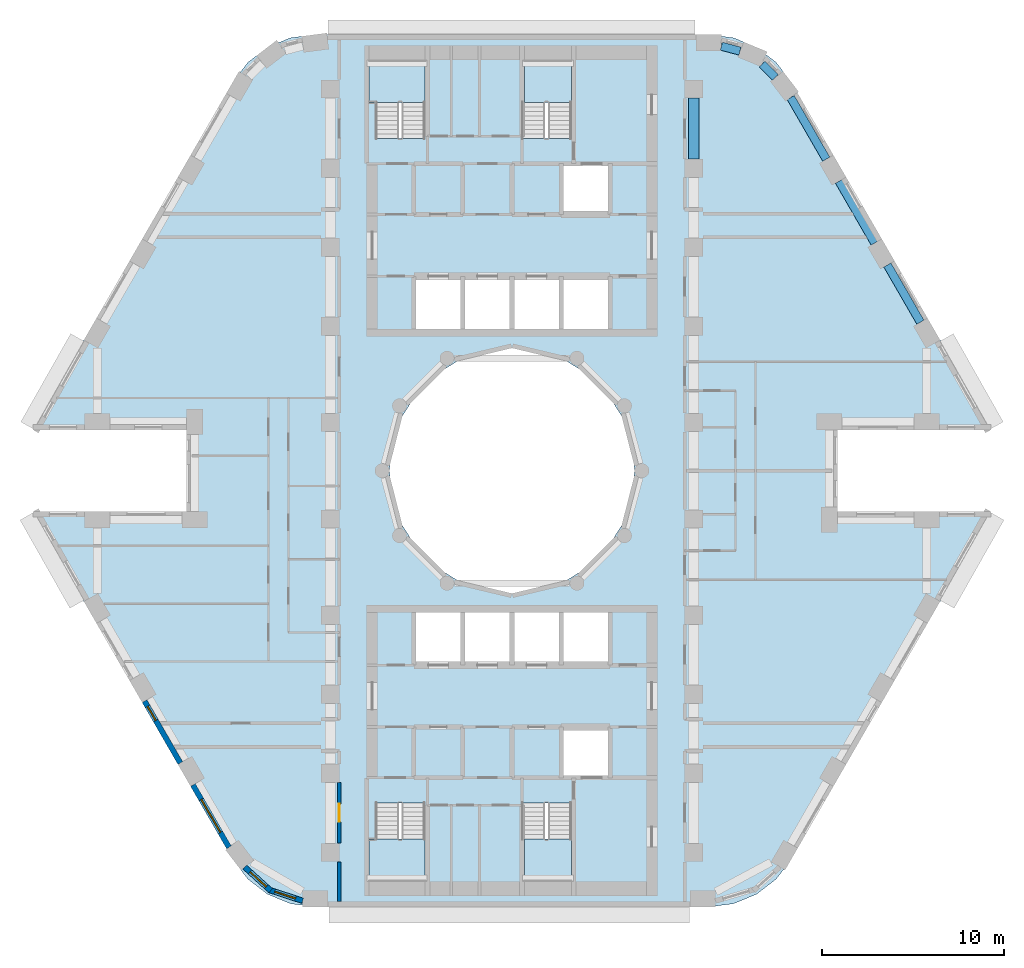
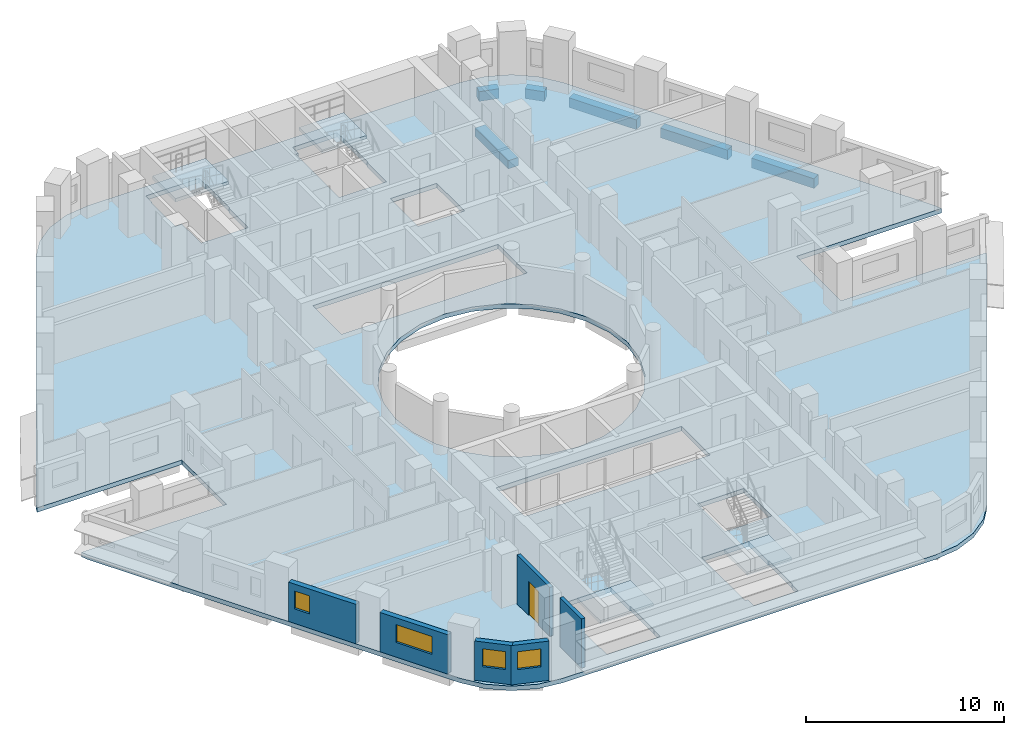
# One storey, part 2 of 12: 6 beams, 6 walls, 5 slabs, 4 windows, 1 door, 5 openings, 4 elements without a shape of their own.
"""IFC4 building model written with IfcOpenShell, lengths in metres."""

from ifc_helpers import new_model, si_unit, direction, frame, frame_2d, origin, origin_2d, place, context, subcontext, project, spatial, polyline, rectangle, outline, extrude, material, layer, layer_set, material_profile, profile_set, type_object, element, fill, aggregate, save


model = new_model("IFC4")

# Units and contexts
model_context = context("Model", 3, precision=1e-05, world=origin(), true_north=direction((0.0, 1.0)))
body_context = subcontext(model_context, "Body", "Model", "MODEL_VIEW")
ifc_project = project(units=[si_unit("LENGTHUNIT", "METRE"), si_unit("AREAUNIT", "SQUARE_METRE"), si_unit("VOLUMEUNIT", "CUBIC_METRE"), si_unit("PLANEANGLEUNIT", "RADIAN"), si_unit("MASSUNIT", "GRAM", prefix="KILO")], contexts=[model_context])

# Site, building, storey
site_placement = place(None, origin())
site = spatial("IfcSite", under=ifc_project, at=site_placement, CompositionType="ELEMENT")
building_placement = place(site_placement, origin())
building = spatial("IfcBuilding", under=site, at=building_placement, Name="Nakaniwa Court", CompositionType="ELEMENT")
storey_placement = place(building_placement, frame((0.0, 0.0, 94.199951171875)))
storey = spatial("IfcBuildingStorey", under=building, at=storey_placement, Name="L24", CompositionType="ELEMENT", Elevation=94.199951171875)

# Beams
ifc_material_1 = material(Name="Concrete C80/100", Category="concrete")
ifc_material_profile_1 = material_profile(ifc_material_1, rectangle(XDim=0.449951171875, YDim=0.60009765625, at=origin_2d()), Name="Concrete C80/100 RC 450x600 spandrel beam")
ifc_profile_set_1 = profile_set([ifc_material_profile_1], Name="Concrete C80/100")
beam_type_1 = type_object("IfcBeamType", Name="Concrete C80/100 RC 450x600 spandrel beam", PredefinedType="BEAM", material=ifc_profile_set_1)
beam_1_placement = place(storey_placement, frame((102.472900390625, 88.17578125, -0.574951171875), z_axis=(-0.499988394233, 0.866032104273, 0.0), x_axis=(-0.866032104273, -0.499988394233, 0.0)))
element("IfcBeam", 1, at=beam_1_placement, inside=storey, type_object=beam_type_1, Name="SPANDREL BEAM", PredefinedType="BEAM", context=body_context, shape_type="SweptSolid", body=[
    extrude(rectangle(XDim=0.449951171875, YDim=0.60009765625, at=origin_2d()), origin(), (0.0, 0.0, 1.0), 3.62890625),
])
beam_2_placement = place(storey_placement, frame((99.95849609375, 92.531005859375, -0.574951171875), z_axis=(-0.49999161165, 0.866030246746, 0.0), x_axis=(-0.866030246746, -0.49999161165, 0.0)))
element("IfcBeam", 2, at=beam_2_placement, inside=storey, type_object=beam_type_1, Name="SPANDREL BEAM", PredefinedType="BEAM", context=body_context, shape_type="SweptSolid", body=[
    extrude(rectangle(XDim=0.449951171875, YDim=0.60009765625, at=origin_2d()), origin(), (0.0, 0.0, 1.0), 3.92578125),
])
beam_3_placement = place(storey_placement, frame((97.29541015625, 97.143310546875, -0.574951171875), z_axis=(-0.499997407846, 0.86602690036, 0.0), x_axis=(-0.86602690036, -0.499997407846, 0.0)))
element("IfcBeam", 3, at=beam_3_placement, inside=storey, type_object=beam_type_1, Name="SPANDREL BEAM", PredefinedType="BEAM", context=body_context, shape_type="SweptSolid", body=[
    extrude(rectangle(XDim=0.449951171875, YDim=0.60009765625, at=origin_2d()), origin(), (0.0, 0.0, 1.0), 3.919921875),
])
beam_4_placement = place(storey_placement, frame((94.484130859375, 101.6494140625, -0.574951171875), z_axis=(-0.705911336947, 0.7083002078, 0.0), x_axis=(-0.7083002078, -0.705911336947, 0.0)))
element("IfcBeam", 4, at=beam_4_placement, inside=storey, type_object=beam_type_1, Name="SPANDREL BEAM", PredefinedType="BEAM", context=body_context, shape_type="SweptSolid", body=[
    extrude(rectangle(XDim=0.449951171875, YDim=0.60009765625, at=origin_2d()), origin(), (0.0, 0.0, 1.0), 1.02197265625),
])
beam_5_placement = place(storey_placement, frame((92.544921875, 103.091796875, -0.574951171875), z_axis=(-0.966315487466, 0.257360406209, 0.0), x_axis=(-0.257360406209, -0.966315487466, 0.0)))
element("IfcBeam", 5, at=beam_5_placement, inside=storey, type_object=beam_type_1, Name="SPANDREL BEAM", PredefinedType="BEAM", context=body_context, shape_type="SweptSolid", body=[
    extrude(rectangle(XDim=0.449951171875, YDim=0.60009765625, at=origin_2d()), origin(), (0.0, 0.0, 1.0), 1.055908203125),
])
ifc_material_profile_2 = material_profile(ifc_material_1, rectangle(XDim=0.60009765625, YDim=0.5, at=origin_2d()), Name="Concrete C80/100 RC 600x500 ring beam")
ifc_profile_set_2 = profile_set([ifc_material_profile_2], Name="Concrete C80/100")
beam_type_2 = type_object("IfcBeamType", Name="Concrete C80/100 RC 600x500 ring beam", PredefinedType="BEAM", material=ifc_profile_set_2)
beam_6_placement = place(storey_placement, frame((90.0, 97.14990234375, -0.52490234375), z_axis=(0.0, 1.0, 0.0), x_axis=(-1.0, 0.0, 0.0)))
element("IfcBeam", 6, at=beam_6_placement, inside=storey, type_object=beam_type_2, Name="RING BEAM", PredefinedType="BEAM", context=body_context, shape_type="SweptSolid", body=[
    extrude(rectangle(XDim=0.60009765625, YDim=0.5, at=origin_2d()), origin(), (0.0, 0.0, 1.0), 3.35009765625),
])

# Slab
ifc_layer_1 = layer(ifc_material_1, 0.27490234375)
ifc_layer_set_1 = layer_set([ifc_layer_1], Name="Concrete C80/100")
slab_type_1 = type_object("IfcSlabType", Name="Concrete C80/100 post tensioned floor slab 275", PredefinedType="FLOOR", material=ifc_layer_set_1)
slab_1_placement = place(storey_placement, frame((0.0, 0.0, -0.27490234375)))
element("IfcSlab", 7, at=slab_1_placement, inside=storey, type_object=slab_type_1, Name="FLOOR SLAB", PredefinedType="FLOOR", context=body_context, shape_type="SweptSolid", body=[
    extrude(outline(polyline([(97.908447265625, 82.25), (106.356689453125, 82.25), (106.211669921875, 82.60009765625), (95.357421875, 101.39990234375), (94.531005859375, 102.47705078125), (93.4541015625, 103.30322265625), (92.199951171875, 103.82275390625), (90.854248046875, 104.0), (69.145751953125, 104.0), (67.800048828125, 103.82275390625), (66.5458984375, 103.30322265625), (65.468994140625, 102.47705078125), (64.642578125, 101.39990234375), (53.788330078125, 82.60009765625), (53.643310546875, 82.25), (62.091552734375, 82.25), (62.091552734375, 77.75), (53.643310546875, 77.75), (53.788330078125, 77.39990234375), (64.642578125, 58.60009765625), (65.468994140625, 57.52294921875), (66.5458984375, 56.69677734375), (67.800048828125, 56.17724609375), (69.145751953125, 56.0), (90.854248046875, 56.0), (92.199951171875, 56.17724609375), (93.4541015625, 56.69677734375), (94.531005859375, 57.52294921875), (95.357421875, 58.60009765625), (106.211669921875, 77.39990234375), (106.356689453125, 77.75), (97.908447265625, 77.75), (97.908447265625, 82.25)]), holes=[polyline([(81.501953125, 86.580810546875), (80.0, 86.75), (78.498046875, 86.580810546875), (77.0712890625, 86.08154296875), (75.79150390625, 85.27734375), (74.72265625, 84.20849609375), (73.91845703125, 82.9287109375), (73.419189453125, 81.501953125), (73.25, 80.0), (73.419189453125, 78.498046875), (73.91845703125, 77.0712890625), (74.72265625, 75.79150390625), (75.79150390625, 74.72265625), (77.0712890625, 73.91845703125), (78.498046875, 73.419189453125), (80.0, 73.25), (81.501953125, 73.419189453125), (82.9287109375, 73.91845703125), (84.20849609375, 74.72265625), (85.27734375, 75.79150390625), (86.08154296875, 77.0712890625), (86.580810546875, 78.498046875), (86.75, 80.0), (86.580810546875, 81.501953125), (86.08154296875, 82.9287109375), (85.27734375, 84.20849609375), (84.20849609375, 85.27734375), (82.9287109375, 86.08154296875), (81.501953125, 86.580810546875)]), polyline([(75.264892578125, 57.360107421875), (75.264892578125, 59.764892578125), (75.22509765625, 59.764892578125), (75.22509765625, 61.7099609375), (72.47509765625, 61.7099609375), (72.47509765625, 59.764892578125), (72.0849609375, 59.764892578125), (72.0849609375, 57.360107421875), (72.125, 57.360107421875), (72.125, 56.72509765625), (75.22509765625, 56.72509765625), (75.22509765625, 57.324951171875), (75.22509765625, 57.360107421875), (75.264892578125, 57.360107421875)]), polyline([(80.0, 69.300048828125), (82.699951171875, 69.300048828125), (85.39990234375, 69.300048828125), (85.39990234375, 72.199951171875), (82.699951171875, 72.199951171875), (80.0, 72.199951171875), (77.300048828125, 72.199951171875), (74.60009765625, 72.199951171875), (74.60009765625, 69.300048828125), (77.300048828125, 69.300048828125), (80.0, 69.300048828125)]), polyline([(80.0, 87.800048828125), (82.699951171875, 87.800048828125), (85.39990234375, 87.800048828125), (85.39990234375, 90.699951171875), (82.699951171875, 90.699951171875), (80.0, 90.699951171875), (77.300048828125, 90.699951171875), (74.60009765625, 90.699951171875), (74.60009765625, 87.800048828125), (77.300048828125, 87.800048828125), (80.0, 87.800048828125)]), polyline([(75.264892578125, 100.235107421875), (75.264892578125, 102.639892578125), (75.22509765625, 102.639892578125), (75.22509765625, 102.675048828125), (75.22509765625, 103.27490234375), (72.125, 103.27490234375), (72.125, 102.639892578125), (72.0849609375, 102.639892578125), (72.0849609375, 100.235107421875), (72.47509765625, 100.235107421875), (72.47509765625, 98.2900390625), (75.22509765625, 98.2900390625), (75.22509765625, 100.235107421875), (75.264892578125, 100.235107421875)]), polyline([(83.27490234375, 61.7099609375), (80.52490234375, 61.7099609375), (80.52490234375, 57.324951171875), (80.675048828125, 57.324951171875), (80.675048828125, 56.72509765625), (83.27490234375, 56.72509765625), (83.27490234375, 57.324951171875), (83.27490234375, 57.360107421875), (83.31494140625, 57.360107421875), (83.31494140625, 59.764892578125), (83.27490234375, 59.764892578125), (83.27490234375, 61.7099609375)]), polyline([(85.39990234375, 65.89990234375), (82.699951171875, 65.89990234375), (82.699951171875, 63.10009765625), (85.39990234375, 63.10009765625), (85.39990234375, 65.89990234375)]), polyline([(85.39990234375, 96.89990234375), (82.699951171875, 96.89990234375), (82.699951171875, 94.10009765625), (85.39990234375, 94.10009765625), (85.39990234375, 96.89990234375)]), polyline([(83.27490234375, 100.235107421875), (83.31494140625, 100.235107421875), (83.31494140625, 102.639892578125), (83.27490234375, 102.639892578125), (83.27490234375, 102.675048828125), (83.27490234375, 103.27490234375), (80.675048828125, 103.27490234375), (80.675048828125, 102.675048828125), (80.52490234375, 102.675048828125), (80.52490234375, 98.2900390625), (83.27490234375, 98.2900390625), (83.27490234375, 100.235107421875)])]), origin(), (0.0, 0.0, 1.0), 0.27490234375),
])

# Stair, slab
stair_type = type_object("IfcStairType", Name="Dog leg stair 1300 wide 18 risers", PredefinedType="HALF_TURN_STAIR", material=ifc_material_1)
stair_1_placement = place(storey_placement, origin())
stair_1 = element("IfcStair", 8, at=stair_1_placement, inside=storey, type_object=stair_type, Name="L24 Stair ST1", PredefinedType="HALF_TURN_STAIR")
ifc_layer_2 = layer(ifc_material_1, 0.199951171875)
ifc_layer_set_2 = layer_set([ifc_layer_2], Name="Concrete C80/100")
slab_type_2 = type_object("IfcSlabType", Name="Stair landing concrete", PredefinedType="LANDING", material=ifc_layer_set_2)
slab_2_placement = place(storey_placement, frame((0.0, 0.0, 1.449951171875)))
slab_2 = element("IfcSlab", 9, at=slab_2_placement, type_object=slab_type_2, Name="ST1 landing 1", PredefinedType="LANDING", context=body_context, shape_type="SweptSolid", body=[
    extrude(outline(polyline([(75.22509765625, 100.27490234375), (75.22509765625, 102.60009765625), (72.125, 102.60009765625), (72.125, 100.27490234375), (75.22509765625, 100.27490234375)])), origin(), (0.0, 0.0, 1.0), 0.2001953125),
])
aggregate(stair_1, [slab_2])

stair_2_placement = place(storey_placement, origin())
stair_2 = element("IfcStair", 10, at=stair_2_placement, inside=storey, type_object=stair_type, Name="L24 Stair ST2", PredefinedType="HALF_TURN_STAIR")
slab_3_placement = place(storey_placement, frame((0.0, 0.0, 1.449951171875)))
slab_3 = element("IfcSlab", 11, at=slab_3_placement, type_object=slab_type_2, Name="ST2 landing 1", PredefinedType="LANDING", context=body_context, shape_type="SweptSolid", body=[
    extrude(outline(polyline([(83.27490234375, 100.27490234375), (83.27490234375, 102.60009765625), (80.675048828125, 102.60009765625), (80.675048828125, 100.27490234375), (83.27490234375, 100.27490234375)])), origin(), (0.0, 0.0, 1.0), 0.2001953125),
])
aggregate(stair_2, [slab_3])

stair_3_placement = place(storey_placement, origin())
stair_3 = element("IfcStair", 12, at=stair_3_placement, inside=storey, type_object=stair_type, Name="L24 Stair ST3", PredefinedType="HALF_TURN_STAIR")
slab_4_placement = place(storey_placement, frame((0.0, 0.0, 1.449951171875)))
slab_4 = element("IfcSlab", 13, at=slab_4_placement, type_object=slab_type_2, Name="ST3 landing 1", PredefinedType="LANDING", context=body_context, shape_type="SweptSolid", body=[
    extrude(outline(polyline([(75.22509765625, 57.39990234375), (75.22509765625, 59.72509765625), (72.125, 59.72509765625), (72.125, 57.39990234375), (75.22509765625, 57.39990234375)])), origin(), (0.0, 0.0, 1.0), 0.2001953125),
])
aggregate(stair_3, [slab_4])

stair_4_placement = place(storey_placement, origin())
stair_4 = element("IfcStair", 14, at=stair_4_placement, inside=storey, type_object=stair_type, Name="L24 Stair ST4", PredefinedType="HALF_TURN_STAIR")
slab_5_placement = place(storey_placement, frame((0.0, 0.0, 1.449951171875)))
slab_5 = element("IfcSlab", 15, at=slab_5_placement, type_object=slab_type_2, Name="ST4 landing 1", PredefinedType="LANDING", context=body_context, shape_type="SweptSolid", body=[
    extrude(outline(polyline([(83.27490234375, 57.39990234375), (83.27490234375, 59.72509765625), (80.675048828125, 59.72509765625), (80.675048828125, 57.39990234375), (83.27490234375, 57.39990234375)])), origin(), (0.0, 0.0, 1.0), 0.2001953125),
])
aggregate(stair_4, [slab_5])

# Wall
ifc_material_2 = material(Name="Acoustic double stud partition")
ifc_layer_3 = layer(ifc_material_2, 0.199951171875)
ifc_layer_set_3 = layer_set([ifc_layer_3], Name="Acoustic double stud partition")
wall_type_1 = type_object("IfcWallType", Name="Acoustic double stud partition 200", PredefinedType="PARTITIONING", material=ifc_layer_set_3)
wall_1_placement = place(storey_placement, frame((70.5, 56.300048828125, 0.0), z_axis=(0.0, 0.0, 1.0), x_axis=(0.0, 1.0, 0.0)))
element("IfcWall", 16, at=wall_1_placement, inside=storey, type_object=wall_type_1, Name="Partition PW-095", PredefinedType="PARTITIONING", context=body_context, shape_type="SweptSolid", body=[
    extrude(rectangle(XDim=2.182861328125, YDim=0.199951171875, at=frame_2d((1.09130859375, 0.0))), origin(), (0.0, 0.0, 1.0), 3.025146484375),
])

# Wall, opening, door
wall_2_placement = place(storey_placement, frame((70.5, 59.51708984375, 0.0), z_axis=(0.0, 0.0, 1.0), x_axis=(0.0, 1.0, 0.0)))
wall_2 = element("IfcWall", 17, at=wall_2_placement, inside=storey, type_object=wall_type_1, Name="Partition PW-096", PredefinedType="PARTITIONING", context=body_context, shape_type="SweptSolid", body=[
    extrude(rectangle(XDim=3.31591796875, YDim=0.199951171875, at=frame_2d((1.657958984375, 0.0))), origin(), (0.0, 0.0, 1.0), 3.025146484375),
])
opening_1_placement = place(wall_2_placement, frame((1.157958984375, 0.0, 0.0)))
opening_1 = element("IfcOpeningElement", 18, at=opening_1_placement, cuts=wall_2, Name="Opening D-02-04", PredefinedType="OPENING", context=body_context, shape_type="SweptSolid", body=[
    extrude(rectangle(XDim=1.0, YDim=2.10009765625, at=frame_2d((0.5, 1.050048828125))), frame((0.0, 0.10986328125, 0.0), z_axis=(0.0, -1.0, 0.0), x_axis=(1.0, 0.0, 0.0)), (0.0, 0.0, 1.0), 0.219970703125),
])
ifc_material_3 = material(Name="Solid core timber door set, black veneer", Category="wood")
door_type = type_object("IfcDoorType", Name="Internal door 1000", OperationType="NOTDEFINED", PredefinedType="DOOR", material=ifc_material_3)
door_placement = place(opening_1_placement, origin())
door = element("IfcDoor", 19, at=door_placement, inside=storey, type_object=door_type, Name="Door D-02-04 L24-038", OperationType="SINGLE_SWING_LEFT", OverallHeight=2.10009765625, OverallWidth=1.0, PredefinedType="DOOR", context=body_context, shape_type="SweptSolid", body=[
    extrude(rectangle(XDim=1.0, YDim=2.10009765625, at=frame_2d((0.5, 1.050048828125))), frame((0.0, 0.02490234375, 0.0), z_axis=(0.0, -1.0, 0.0), x_axis=(1.0, 0.0, 0.0)), (0.0, 0.0, 1.0), 0.050048828125),
])
fill(opening_1, door)

# Wall, opening, window
ifc_material_4 = material(Name="Charcoal ceramic cladding")
ifc_layer_4 = layer(ifc_material_4, 0.02, Name="Ceramic cladding")
ifc_material_5 = material(Name="Ventilated air cavity")
ifc_layer_5 = layer(ifc_material_5, 0.04, ventilated=True, Name="Ventilated cavity")
ifc_material_6 = material(Name="Mineral wool insulation")
ifc_layer_6 = layer(ifc_material_6, 0.1, Name="Insulation")
ifc_material_7 = material(Name="Cement bonded sheathing board")
ifc_layer_7 = layer(ifc_material_7, 0.012, Name="Sheathing")
ifc_material_8 = material(Name="Cold-formed galvanised stud frame with mineral wool infill")
ifc_layer_8 = layer(ifc_material_8, 0.1, Name="Stud frame")
ifc_material_9 = material(Name="Fire-rated gypsum plasterboard lining")
ifc_layer_9 = layer(ifc_material_9, 0.028, Name="Lining")
ifc_layer_set_4 = layer_set([ifc_layer_4, ifc_layer_5, ifc_layer_6, ifc_layer_7, ifc_layer_8, ifc_layer_9], Name="Charcoal ceramic faced external wall system")
wall_type_2 = type_object("IfcWallType", Name="Black ceramic faced external wall 300", PredefinedType="SOLIDWALL", material=ifc_layer_set_4)
wall_3_placement = place(storey_placement, frame((59.77978515625, 67.322509765625, 0.0), z_axis=(0.0, 0.0, 1.0), x_axis=(0.499957037901, -0.866050206543, 0.0)))
wall_3 = element("IfcWall", 20, at=wall_3_placement, inside=storey, type_object=wall_type_2, Name="L24 external wall 22", PredefinedType="SOLIDWALL", context=body_context, shape_type="SweptSolid", body=[
    extrude(rectangle(XDim=3.933837890625, YDim=0.300048828125, at=frame_2d((1.966796875, 0.0))), origin(), (0.0, 0.0, 1.0), 2.425048828125),
])
opening_2_placement = place(wall_3_placement, frame((0.329833984375, 0.0, 0.89990234375)))
opening_2 = element("IfcOpeningElement", 21, at=opening_2_placement, cuts=wall_3, Name="Opening W9.27", PredefinedType="OPENING", context=body_context, shape_type="SweptSolid", body=[
    extrude(rectangle(XDim=0.89990234375, YDim=1.10009765625, at=frame_2d((0.449951171875, 0.550048828125))), frame((0.0, 0.159912109375, 0.0), z_axis=(0.0, -1.0, 0.0), x_axis=(1.0, 0.0, 0.0)), (0.0, 0.0, 1.0), 0.320068359375),
])
ifc_material_10 = material(Name="Black anodised aluminium frame with dark low-E laminated double glazing", Category="aluminium")
window_type_1 = type_object("IfcWindowType", Name="Dark glass window 900x1100 sill 900", PartitioningType="SINGLE_PANEL", PredefinedType="WINDOW", material=ifc_material_10)
window_1_placement = place(opening_2_placement, origin())
window_1 = element("IfcWindow", 22, at=window_1_placement, inside=storey, type_object=window_type_1, Name="L24 habitable room window 22-0", OverallHeight=1.10009765625, OverallWidth=0.89990234375, PartitioningType="SINGLE_PANEL", PredefinedType="WINDOW", context=body_context, shape_type="SweptSolid", body=[
    extrude(rectangle(XDim=0.89990234375, YDim=1.10009765625, at=frame_2d((0.449951171875, 0.550048828125))), frame((0.0, 0.030029296875, 0.0), z_axis=(0.0, -1.0, 0.0), x_axis=(1.0, 0.0, 0.0)), (0.0, 0.0, 1.0), 0.06005859375),
])
fill(opening_2, window_1)

wall_4_placement = place(storey_placement, frame((62.442626953125, 62.710205078125, 0.0), z_axis=(0.0, 0.0, 1.0), x_axis=(0.500043828347, -0.866000097998, 0.0)))
wall_4 = element("IfcWall", 23, at=wall_4_placement, inside=storey, type_object=wall_type_2, Name="L24 external wall 23", PredefinedType="SOLIDWALL", context=body_context, shape_type="SweptSolid", body=[
    extrude(rectangle(XDim=3.967529296875, YDim=0.300048828125, at=frame_2d((1.98388671875, 0.0))), origin(), (0.0, 0.0, 1.0), 2.425048828125),
])
opening_3_placement = place(wall_4_placement, frame((0.92236328125, 0.0, 0.89990234375)))
opening_3 = element("IfcOpeningElement", 24, at=opening_3_placement, cuts=wall_4, Name="Opening W7.28", PredefinedType="OPENING", context=body_context, shape_type="SweptSolid", body=[
    extrude(rectangle(XDim=2.10009765625, YDim=1.10009765625, at=frame_2d((1.050048828125, 0.550048828125))), frame((0.0, 0.159912109375, 0.0), z_axis=(0.0, -1.0, 0.0), x_axis=(1.0, 0.0, 0.0)), (0.0, 0.0, 1.0), 0.320068359375),
])
window_type_2 = type_object("IfcWindowType", Name="Dark glass window 2100x1100 sill 900", PartitioningType="SINGLE_PANEL", PredefinedType="WINDOW", material=ifc_material_10)
window_2_placement = place(opening_3_placement, origin())
window_2 = element("IfcWindow", 25, at=window_2_placement, inside=storey, type_object=window_type_2, Name="L24 habitable room window 23-0", OverallHeight=1.10009765625, OverallWidth=2.10009765625, PartitioningType="SINGLE_PANEL", PredefinedType="WINDOW", context=body_context, shape_type="SweptSolid", body=[
    extrude(rectangle(XDim=2.10009765625, YDim=1.10009765625, at=frame_2d((1.050048828125, 0.550048828125))), frame((0.0, 0.030029296875, 0.0), z_axis=(0.0, -1.0, 0.0), x_axis=(1.0, 0.0, 0.0)), (0.0, 0.0, 1.0), 0.06005859375),
])
fill(opening_3, window_2)

wall_5_placement = place(storey_placement, frame((65.294921875, 58.18603515625, 0.0), z_axis=(0.0, 0.0, 1.0), x_axis=(0.740421367382, -0.672142989791, 0.0)))
wall_5 = element("IfcWall", 26, at=wall_5_placement, inside=storey, type_object=wall_type_2, Name="L24 external wall 24", PredefinedType="SOLIDWALL", context=body_context, shape_type="SweptSolid", body=[
    extrude(rectangle(XDim=1.92724609375, YDim=0.300048828125, at=frame_2d((0.963623046875, 0.0))), origin(), (0.0, 0.0, 1.0), 2.425048828125),
])
opening_4_placement = place(wall_5_placement, frame((0.39111328125, 0.0, 0.89990234375)))
opening_4 = element("IfcOpeningElement", 27, at=opening_4_placement, cuts=wall_5, Name="Opening W6.29", PredefinedType="OPENING", context=body_context, shape_type="SweptSolid", body=[
    extrude(rectangle(XDim=1.199951171875, YDim=1.10009765625, at=frame_2d((0.60009765625, 0.550048828125))), frame((0.0, 0.159912109375, 0.0), z_axis=(0.0, -1.0, 0.0), x_axis=(1.0, 0.0, 0.0)), (0.0, 0.0, 1.0), 0.320068359375),
])
window_type_3 = type_object("IfcWindowType", Name="Dark glass window 1200x1100 sill 900", PartitioningType="SINGLE_PANEL", PredefinedType="WINDOW", material=ifc_material_10)
window_3_placement = place(opening_4_placement, origin())
window_3 = element("IfcWindow", 28, at=window_3_placement, inside=storey, type_object=window_type_3, Name="L24 habitable room window 24-0", OverallHeight=1.10009765625, OverallWidth=1.199951171875, PartitioningType="SINGLE_PANEL", PredefinedType="WINDOW", context=body_context, shape_type="SweptSolid", body=[
    extrude(rectangle(XDim=1.199951171875, YDim=1.10009765625, at=frame_2d((0.60009765625, 0.550048828125))), frame((0.0, 0.030029296875, 0.0), z_axis=(0.0, -1.0, 0.0), x_axis=(1.0, 0.0, 0.0)), (0.0, 0.0, 1.0), 0.06005859375),
])
fill(opening_4, window_3)

wall_6_placement = place(storey_placement, frame((66.625, 56.939453125, 0.0), z_axis=(0.0, 0.0, 1.0), x_axis=(0.950777961763, -0.309872985958, 0.0)))
wall_6 = element("IfcWall", 29, at=wall_6_placement, inside=storey, type_object=wall_type_2, Name="L24 external wall 25", PredefinedType="SOLIDWALL", context=body_context, shape_type="SweptSolid", body=[
    extrude(rectangle(XDim=1.949951171875, YDim=0.300048828125, at=frame_2d((0.97509765625, 0.0))), origin(), (0.0, 0.0, 1.0), 2.425048828125),
])
opening_5_placement = place(wall_6_placement, frame((0.334716796875, 0.0, 0.89990234375)))
opening_5 = element("IfcOpeningElement", 30, at=opening_5_placement, cuts=wall_6, Name="Opening W6.30", PredefinedType="OPENING", context=body_context, shape_type="SweptSolid", body=[
    extrude(rectangle(XDim=1.199951171875, YDim=1.10009765625, at=frame_2d((0.60009765625, 0.550048828125))), frame((0.0, 0.159912109375, 0.0), z_axis=(0.0, -1.0, 0.0), x_axis=(1.0, 0.0, 0.0)), (0.0, 0.0, 1.0), 0.320068359375),
])
window_4_placement = place(opening_5_placement, origin())
window_4 = element("IfcWindow", 31, at=window_4_placement, inside=storey, type_object=window_type_3, Name="L24 habitable room window 25-0", OverallHeight=1.10009765625, OverallWidth=1.199951171875, PartitioningType="SINGLE_PANEL", PredefinedType="WINDOW", context=body_context, shape_type="SweptSolid", body=[
    extrude(rectangle(XDim=1.199951171875, YDim=1.10009765625, at=frame_2d((0.60009765625, 0.550048828125))), frame((0.0, 0.030029296875, 0.0), z_axis=(0.0, -1.0, 0.0), x_axis=(1.0, 0.0, 0.0)), (0.0, 0.0, 1.0), 0.06005859375),
])
fill(opening_5, window_4)

save(model, "model.ifc")
